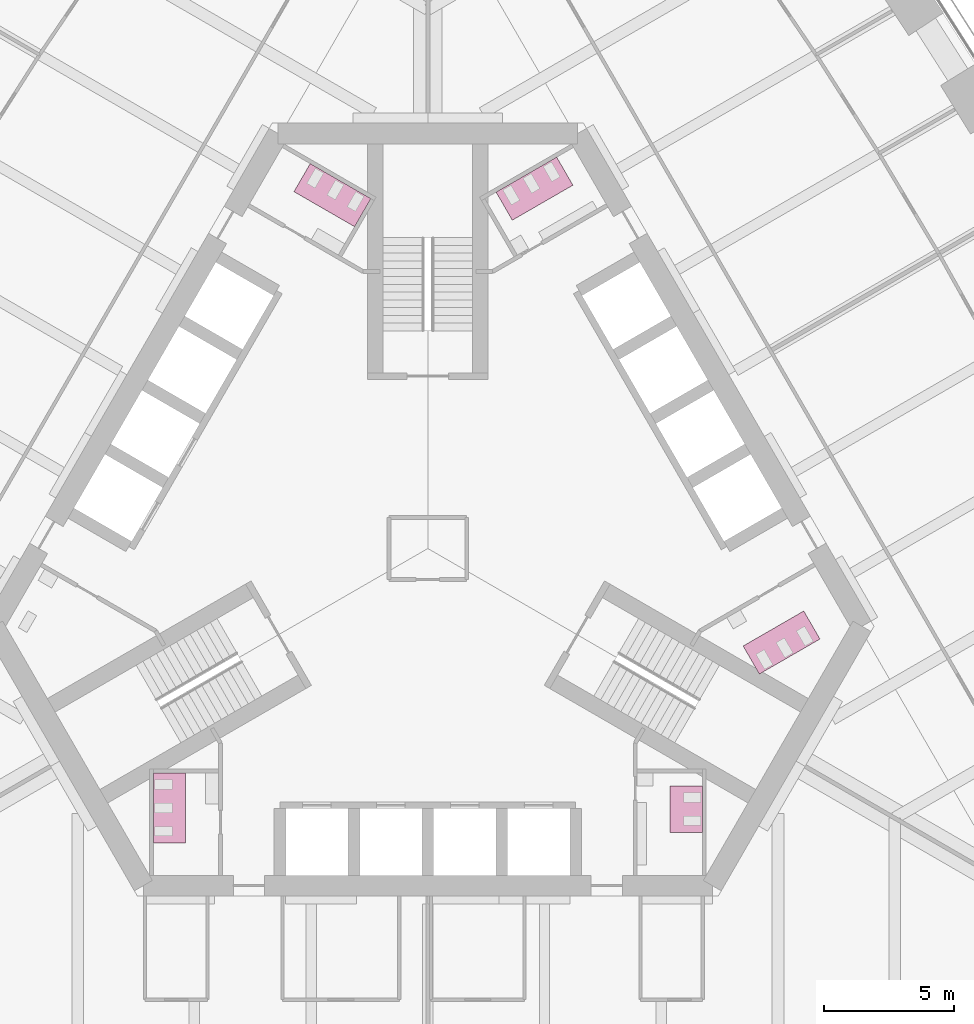
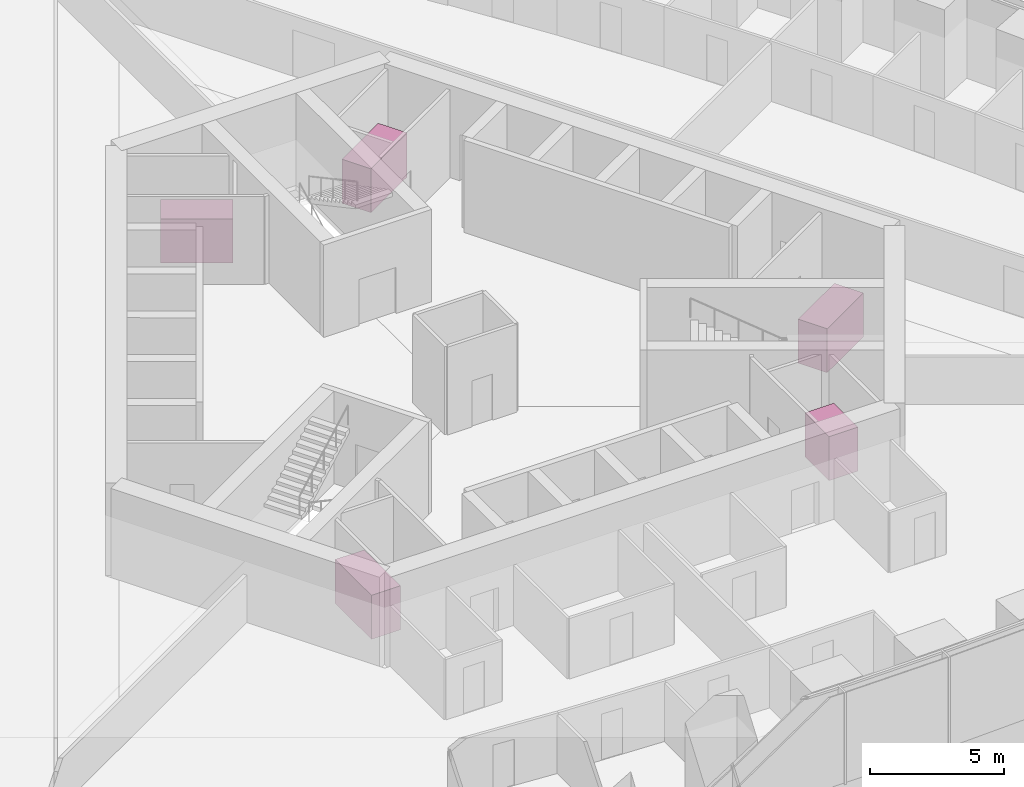
# One storey, part 18 of 18: 5 furniture elements.
"""IFC4 building model written with IfcOpenShell, lengths in metres."""

from ifc_helpers import new_model, si_unit, direction, frame, origin, place, context, subcontext, project, spatial, polyline, outline, extrude, material, type_object, element, save


model = new_model("IFC4")

# Units and contexts
model_context = context("Model", 3, precision=1e-05, world=origin(), true_north=direction((0.0, 1.0)))
body_context = subcontext(model_context, "Body", "Model", "MODEL_VIEW")
ifc_project = project(units=[si_unit("LENGTHUNIT", "METRE"), si_unit("AREAUNIT", "SQUARE_METRE"), si_unit("VOLUMEUNIT", "CUBIC_METRE"), si_unit("PLANEANGLEUNIT", "RADIAN"), si_unit("MASSUNIT", "GRAM", prefix="KILO")], contexts=[model_context])

# Site, building, storey
site_placement = place(None, origin())
site = spatial("IfcSite", under=ifc_project, at=site_placement, CompositionType="ELEMENT")
building_placement = place(site_placement, origin())
building = spatial("IfcBuilding", under=site, at=building_placement, Name="Trefoil Bronze Tower", CompositionType="ELEMENT")
storey_placement = place(building_placement, frame((0.0, 0.0, 75.300048828125)))
storey = spatial("IfcBuildingStorey", under=building, at=storey_placement, Name="L17", CompositionType="ELEMENT", Elevation=75.300048828125)

# Furniture
ifc_material_1 = material(Name="Compact laminate cubicles", Category="plastic")
furniture_type_1 = type_object("IfcFurnitureType", Name="WC cubicle range 2 cubicles", AssemblyPlace="FACTORY", PredefinedType="USERDEFINED", material=ifc_material_1)
furniture_1_placement = place(storey_placement, origin())
element("IfcFurniture", 1, at=furniture_1_placement, inside=storey, type_object=furniture_type_1, Name="WC cubicle range WC (men) L17", ObjectType="WC cubicle range", PredefinedType="USERDEFINED", context=body_context, shape_type="SweptSolid", body=[
    extrude(outline(polyline([(9.3349609375, -9.14990234375), (10.5849609375, -9.14990234375), (10.5849609375, -10.949951171875), (9.3349609375, -10.949951171875), (9.3349609375, -9.14990234375)])), origin(), (0.0, 0.0, 1.0), 2.0),
])
ifc_material_2 = material(Name="Compact laminate cubicles", Category="plastic")
furniture_type_2 = type_object("IfcFurnitureType", Name="WC cubicle range 3 cubicles", AssemblyPlace="FACTORY", PredefinedType="USERDEFINED", material=ifc_material_2)
furniture_2_placement = place(storey_placement, origin())
element("IfcFurniture", 2, at=furniture_2_placement, inside=storey, type_object=furniture_type_2, Name="WC cubicle range WC (women) L17", ObjectType="WC cubicle range", PredefinedType="USERDEFINED", context=body_context, shape_type="SweptSolid", body=[
    extrude(outline(polyline([(12.15869140625, -3.75927734375), (12.78369140625, -4.841796875), (15.121826171875, -3.491943359375), (14.496826171875, -2.409423828125), (12.15869140625, -3.75927734375)])), origin(), (0.0, 0.0, 1.0), 2.0),
])
furniture_3_placement = place(storey_placement, origin())
element("IfcFurniture", 3, at=furniture_3_placement, inside=storey, type_object=furniture_type_2, Name="WC cubicle range WC (men) L17", ObjectType="WC cubicle range", PredefinedType="USERDEFINED", context=body_context, shape_type="SweptSolid", body=[
    extrude(outline(polyline([(3.256591796875, 12.659423828125), (2.631591796875, 13.741943359375), (4.969970703125, 15.091796875), (5.594970703125, 14.00927734375), (3.256591796875, 12.659423828125)])), origin(), (0.0, 0.0, 1.0), 2.0),
])
furniture_4_placement = place(storey_placement, origin())
element("IfcFurniture", 4, at=furniture_4_placement, inside=storey, type_object=furniture_type_2, Name="WC cubicle range WC (women) L17", ObjectType="WC cubicle range", PredefinedType="USERDEFINED", context=body_context, shape_type="SweptSolid", body=[
    extrude(outline(polyline([(-2.82373046875, 12.409423828125), (-2.19873046875, 13.491943359375), (-4.536865234375, 14.841796875), (-5.161865234375, 13.75927734375), (-2.82373046875, 12.409423828125)])), origin(), (0.0, 0.0, 1.0), 2.0),
])
furniture_5_placement = place(storey_placement, origin())
element("IfcFurniture", 5, at=furniture_5_placement, inside=storey, type_object=furniture_type_2, Name="WC cubicle range WC (women) L17", ObjectType="WC cubicle range", PredefinedType="USERDEFINED", context=body_context, shape_type="SweptSolid", body=[
    extrude(outline(polyline([(-9.3349609375, -8.64990234375), (-10.5849609375, -8.64990234375), (-10.5849609375, -11.35009765625), (-9.3349609375, -11.35009765625), (-9.3349609375, -8.64990234375)])), origin(), (0.0, 0.0, 1.0), 2.0),
])

save(model, "model.ifc")
